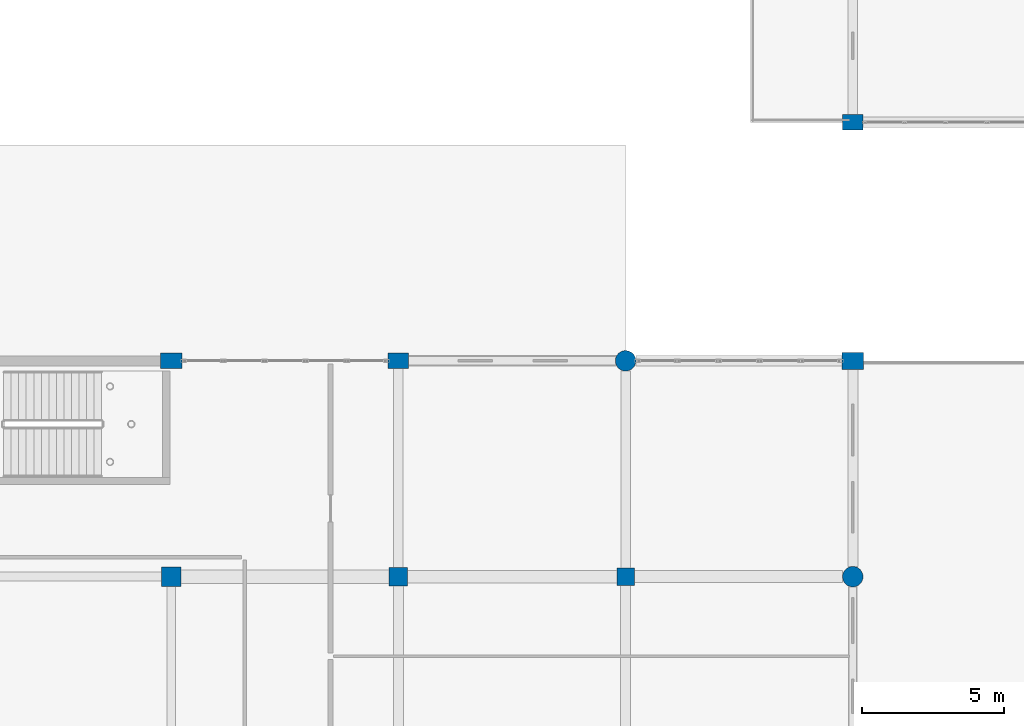
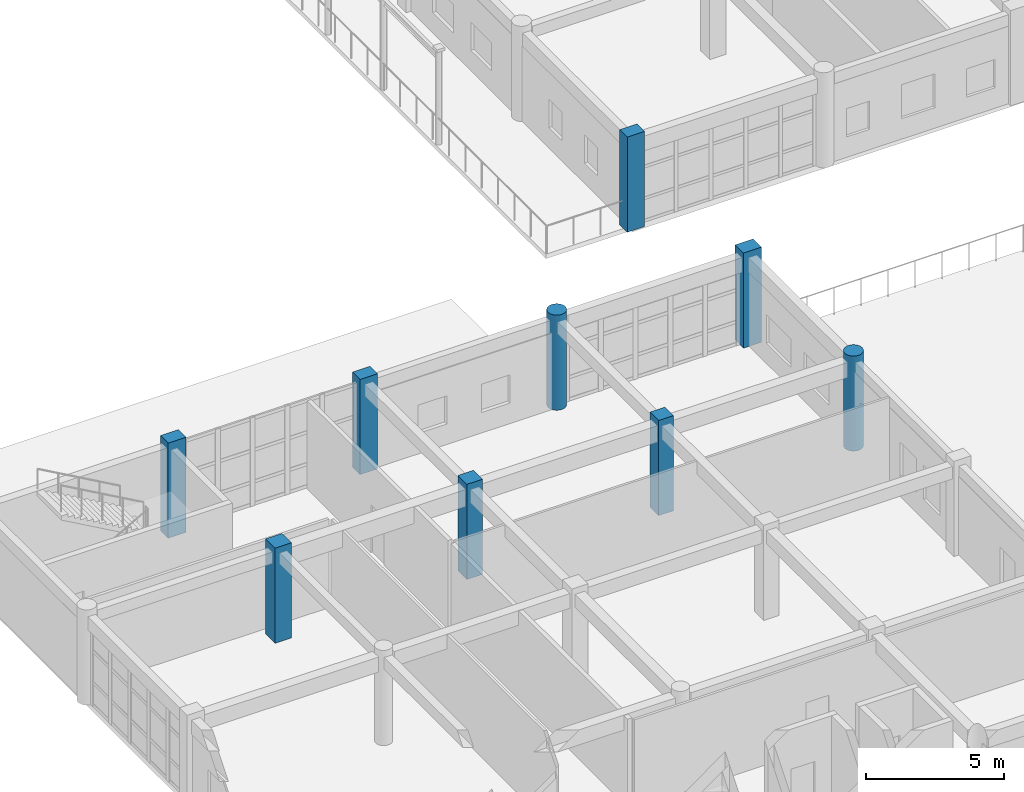
# One storey, part 24 of 195: 9 columns.
"""IFC4 building model written with IfcOpenShell, lengths in metres."""

from ifc_helpers import new_model, si_unit, direction, frame, origin, origin_2d, place, context, subcontext, project, spatial, rectangle, circle, extrude, material, material_profile, profile_set, type_object, element, save


model = new_model("IFC4")

# Units and contexts
model_context = context("Model", 3, precision=1e-05, world=origin(), true_north=direction((0.0, 1.0)))
body_context = subcontext(model_context, "Body", "Model", "MODEL_VIEW")
ifc_project = project(units=[si_unit("LENGTHUNIT", "METRE"), si_unit("AREAUNIT", "SQUARE_METRE"), si_unit("VOLUMEUNIT", "CUBIC_METRE"), si_unit("PLANEANGLEUNIT", "RADIAN"), si_unit("MASSUNIT", "GRAM", prefix="KILO")], contexts=[model_context])

# Site, building, storey
site_placement = place(None, origin())
site = spatial("IfcSite", under=ifc_project, at=site_placement, CompositionType="ELEMENT")
building_placement = place(site_placement, origin())
building = spatial("IfcBuilding", under=site, at=building_placement, Name="Kharva Crest Polytechnic", CompositionType="ELEMENT")
storey_placement = place(building_placement, frame((0.0, 0.0, 9.0)))
storey = spatial("IfcBuildingStorey", under=building, at=storey_placement, Name="L02", CompositionType="ELEMENT", Elevation=9.0)

# Columns
ifc_material = material(Name="Concrete C40/50", Category="concrete")
ifc_material_profile_1 = material_profile(ifc_material, rectangle(XDim=0.719970703125, YDim=0.550048828125, at=origin_2d()), Name="RECT 720 X 550")
ifc_profile_set_1 = profile_set([ifc_material_profile_1], Name="Concrete C40/50")
column_type_1 = type_object("IfcColumnType", Name="COL-EXT-720X550", PredefinedType="COLUMN", material=ifc_profile_set_1)
for number, where, z_axis, x_axis, name in (
    (1, (136.800048828125, 30.39990234375, 0.0), (0.0, 0.0, 1.0), (1.0, 0.0, 0.0), "L02 Column 18/E"),
    (2, (152.800048828125, 38.800048828125, 0.0), (0.0, 0.0, 1.0), (1.0, 0.0, 0.0), "L02 Column 20/FJ"),
):
    element("IfcColumn", number, at=place(storey_placement, frame(where, z_axis=z_axis, x_axis=x_axis)), inside=storey, type_object=column_type_1, Name=name, PredefinedType="COLUMN", context=body_context, shape_type="SweptSolid", body=[
        extrude(rectangle(XDim=0.719970703125, YDim=0.550048828125, at=origin_2d()), origin(), (0.0, 0.0, 1.0), 4.199951171875),
    ])
ifc_material_profile_2 = material_profile(ifc_material, rectangle(XDim=0.75, YDim=0.550048828125, at=origin_2d()), Name="RECT 750 X 550")
ifc_profile_set_2 = profile_set([ifc_material_profile_2], Name="Concrete C40/50")
column_type_2 = type_object("IfcColumnType", Name="COL-EXT-750X550", PredefinedType="COLUMN", material=ifc_profile_set_2)
column_1_placement = place(storey_placement, frame((128.800048828125, 30.39990234375, 0.0), z_axis=(0.0, 0.0, 1.0), x_axis=(1.0, 0.0, 0.0)))
element("IfcColumn", 3, at=column_1_placement, inside=storey, type_object=column_type_2, Name="L02 Column 17/E", PredefinedType="COLUMN", context=body_context, shape_type="SweptSolid", body=[
    extrude(rectangle(XDim=0.75, YDim=0.550048828125, at=origin_2d()), origin(), (0.0, 0.0, 1.0), 4.199951171875),
])
ifc_material_profile_3 = material_profile(ifc_material, rectangle(XDim=0.75, YDim=0.60009765625, at=origin_2d()), Name="RECT 750 X 600")
ifc_profile_set_3 = profile_set([ifc_material_profile_3], Name="Concrete C40/50")
column_type_3 = type_object("IfcColumnType", Name="COL-EXT-750X600", PredefinedType="COLUMN", material=ifc_profile_set_3)
column_2_placement = place(storey_placement, frame((152.800048828125, 30.39990234375, 0.0), z_axis=(0.0, 0.0, 1.0), x_axis=(1.0, 0.0, 0.0)))
element("IfcColumn", 4, at=column_2_placement, inside=storey, type_object=column_type_3, Name="L02 Column 20/E", PredefinedType="COLUMN", context=body_context, shape_type="SweptSolid", body=[
    extrude(rectangle(XDim=0.75, YDim=0.60009765625, at=origin_2d()), origin(), (0.0, 0.0, 1.0), 4.199951171875),
])
ifc_material_profile_4 = material_profile(ifc_material, circle(Radius=0.360107421875, at=origin_2d()), Name="DIA 720")
ifc_profile_set_4 = profile_set([ifc_material_profile_4], Name="Concrete C40/50")
column_type_4 = type_object("IfcColumnType", Name="COL-EXT-DIA720", PredefinedType="COLUMN", material=ifc_profile_set_4)
for number, where, z_axis, x_axis, name in (
    (5, (144.800048828125, 30.39990234375, 0.0), (0.0, 0.0, 1.0), (1.0, 0.0, 0.0), "L02 Column 19/E"),
    (6, (152.800048828125, 22.800048828125, 0.0), (0.0, 0.0, 1.0), (1.0, 0.0, 0.0), "L02 Column 20/D"),
):
    element("IfcColumn", number, at=place(storey_placement, frame(where, z_axis=z_axis, x_axis=x_axis)), inside=storey, type_object=column_type_4, Name=name, PredefinedType="COLUMN", context=body_context, shape_type="SweptSolid", body=[
        extrude(circle(Radius=0.360107421875, at=origin_2d()), origin(), (0.0, 0.0, 1.0), 4.199951171875),
    ])
ifc_material_profile_5 = material_profile(ifc_material, rectangle(XDim=0.6201171875, YDim=0.6201171875, at=origin_2d()), Name="RECT 620 X 620")
ifc_profile_set_5 = profile_set([ifc_material_profile_5], Name="Concrete C40/50")
column_type_5 = type_object("IfcColumnType", Name="COL-INT-620X620", PredefinedType="COLUMN", material=ifc_profile_set_5)
column_3_placement = place(storey_placement, frame((144.800048828125, 22.800048828125, 0.0), z_axis=(0.0, 0.0, 1.0), x_axis=(1.0, 0.0, 0.0)))
element("IfcColumn", 7, at=column_3_placement, inside=storey, type_object=column_type_5, Name="L02 Column 19/D", PredefinedType="COLUMN", context=body_context, shape_type="SweptSolid", body=[
    extrude(rectangle(XDim=0.6201171875, YDim=0.6201171875, at=origin_2d()), origin(), (0.0, 0.0, 1.0), 4.199951171875),
])
ifc_material_profile_6 = material_profile(ifc_material, rectangle(XDim=0.64990234375, YDim=0.64990234375, at=origin_2d()), Name="RECT 650 X 650")
ifc_profile_set_6 = profile_set([ifc_material_profile_6], Name="Concrete C40/50")
column_type_6 = type_object("IfcColumnType", Name="COL-INT-650X650", PredefinedType="COLUMN", material=ifc_profile_set_6)
column_4_placement = place(storey_placement, frame((136.800048828125, 22.800048828125, 0.0), z_axis=(0.0, 0.0, 1.0), x_axis=(1.0, 0.0, 0.0)))
element("IfcColumn", 8, at=column_4_placement, inside=storey, type_object=column_type_6, Name="L02 Column 18/D", PredefinedType="COLUMN", context=body_context, shape_type="SweptSolid", body=[
    extrude(rectangle(XDim=0.64990234375, YDim=0.64990234375, at=origin_2d()), origin(), (0.0, 0.0, 1.0), 4.199951171875),
])
ifc_material_profile_7 = material_profile(ifc_material, rectangle(XDim=0.679931640625, YDim=0.679931640625, at=origin_2d()), Name="RECT 680 X 680")
ifc_profile_set_7 = profile_set([ifc_material_profile_7], Name="Concrete C40/50")
column_type_7 = type_object("IfcColumnType", Name="COL-INT-680X680", PredefinedType="COLUMN", material=ifc_profile_set_7)
column_5_placement = place(storey_placement, frame((128.800048828125, 22.800048828125, 0.0), z_axis=(0.0, 0.0, 1.0), x_axis=(1.0, 0.0, 0.0)))
element("IfcColumn", 9, at=column_5_placement, inside=storey, type_object=column_type_7, Name="L02 Column 17/D", PredefinedType="COLUMN", context=body_context, shape_type="SweptSolid", body=[
    extrude(rectangle(XDim=0.679931640625, YDim=0.679931640625, at=origin_2d()), origin(), (0.0, 0.0, 1.0), 4.199951171875),
])

save(model, "model.ifc")
